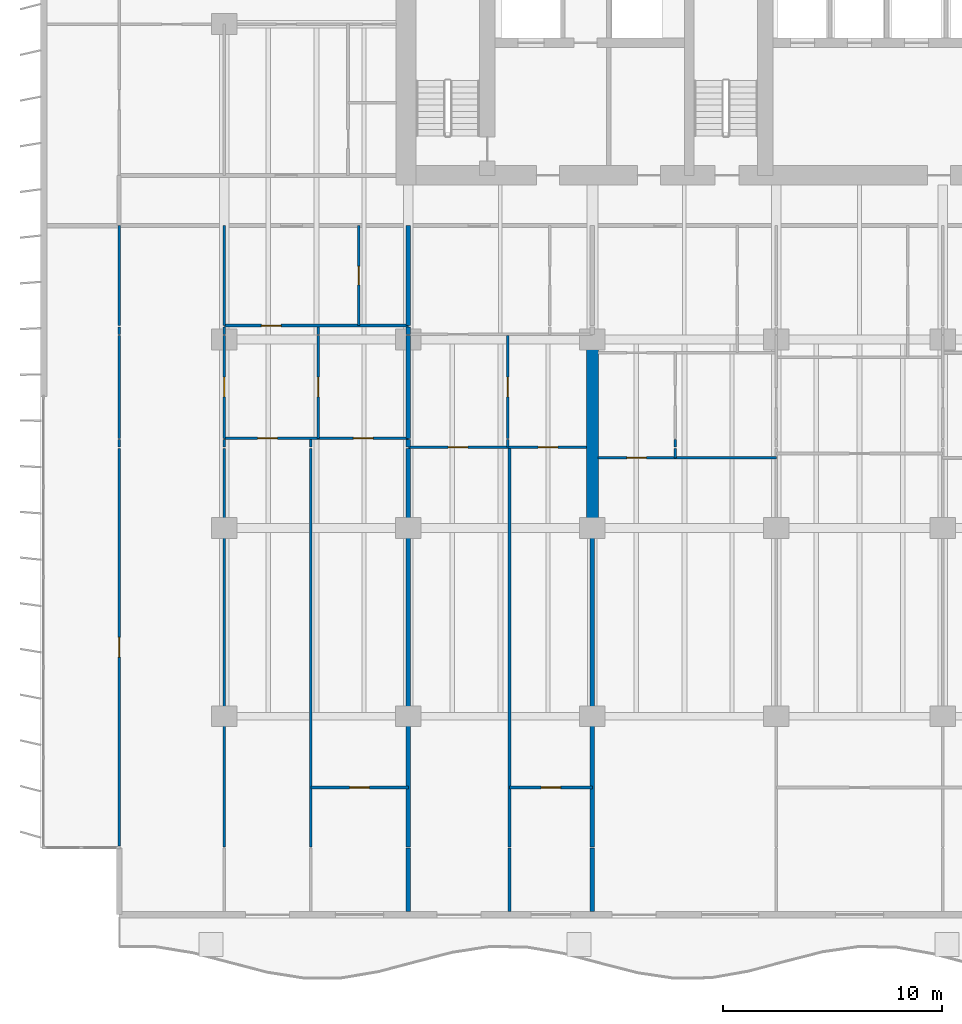
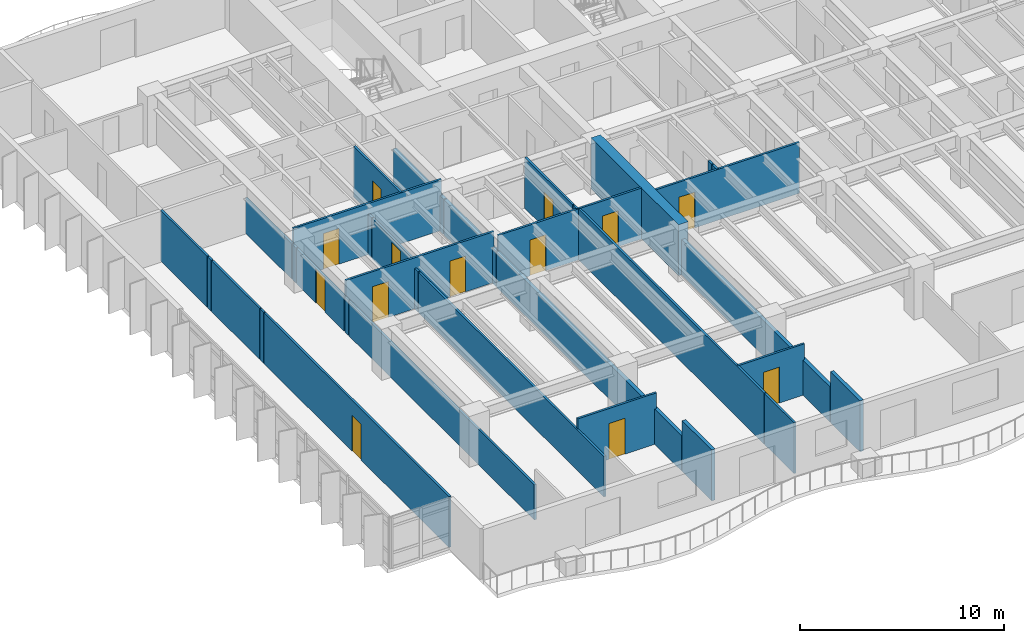
# One storey, part 6 of 17: 36 walls, 13 doors, 13 openings.
"""IFC4 building model written with IfcOpenShell, lengths in metres."""

from ifc_helpers import new_model, si_unit, direction, frame, frame_2d, origin, place, context, subcontext, project, spatial, rectangle, extrude, material, layer, layer_set, type_object, element, fill, save


model = new_model("IFC4")

# Units and contexts
model_context = context("Model", 3, precision=1e-05, world=origin(), true_north=direction((0.0, 1.0)))
body_context = subcontext(model_context, "Body", "Model", "MODEL_VIEW")
ifc_project = project(units=[si_unit("LENGTHUNIT", "METRE"), si_unit("AREAUNIT", "SQUARE_METRE"), si_unit("VOLUMEUNIT", "CUBIC_METRE"), si_unit("PLANEANGLEUNIT", "RADIAN"), si_unit("MASSUNIT", "GRAM", prefix="KILO")], contexts=[model_context])

# Site, building, storey
site_placement = place(None, origin())
site = spatial("IfcSite", under=ifc_project, at=site_placement, CompositionType="ELEMENT")
building_placement = place(site_placement, origin())
building = spatial("IfcBuilding", under=site, at=building_placement, Name="Caelmar Bay Residences", CompositionType="ELEMENT")
storey_placement = place(building_placement, frame((0.0, 0.0, 53.10009765625)))
storey = spatial("IfcBuildingStorey", under=building, at=storey_placement, Name="L13", CompositionType="ELEMENT", Elevation=53.10009765625)

# Wall
ifc_material_1 = material(Name="Concrete f'c 70 MPa (10,000 psi)", Category="concrete")
ifc_layer_1 = layer(ifc_material_1, 0.550048828125)
ifc_layer_set_1 = layer_set([ifc_layer_1], Name="Concrete f'c 70 MPa (10,000 psi)")
wall_type_1 = type_object("IfcWallType", Name="SW-XSLB-550", PredefinedType="SHEAR", material=ifc_layer_set_1)
wall_1_placement = place(storey_placement, frame((26.699951171875, 20.800048828125, 0.0), z_axis=(0.0, 0.0, 1.0), x_axis=(0.0, 1.0, 0.0)))
element("IfcWall", 1, at=wall_1_placement, inside=storey, type_object=wall_type_1, Name="L13 Transverse Cross-Slab Shear Wall W5", PredefinedType="SHEAR", context=body_context, shape_type="SweptSolid", body=[
    extrude(rectangle(XDim=8.599853515625, YDim=0.550048828125, at=frame_2d((4.2998046875, 0.0))), origin(), (0.0, 0.0, 1.0), 3.0498046875),
])

# Wall, opening, door
ifc_material_2 = material(Name="Acoustic metal-stud gypsum partition 120 mm")
ifc_layer_2 = layer(ifc_material_2, 0.1201171875)
ifc_layer_set_2 = layer_set([ifc_layer_2], Name="Acoustic metal-stud gypsum partition 120 mm")
wall_type_2 = type_object("IfcWallType", Name="W-PRT-120", PredefinedType="PARTITIONING", material=ifc_layer_set_2)
wall_2_placement = place(storey_placement, frame((5.10009765625, 6.284912109375, 0.0), z_axis=(0.0, 0.0, 1.0), x_axis=(0.0, 1.0, 0.0)))
wall_2 = element("IfcWall", 2, at=wall_2_placement, inside=storey, type_object=wall_type_2, Name="L13 Partition Wall V001", PredefinedType="PARTITIONING", context=body_context, shape_type="SweptSolid", body=[
    extrude(rectangle(XDim=18.14501953125, YDim=0.1201171875, at=frame_2d((9.072509765625, 0.0))), origin(), (0.0, 0.0, 1.0), 3.0498046875),
])
opening_1_placement = place(wall_2_placement, frame((8.62255859375, 0.0, 0.0)))
opening_1 = element("IfcOpeningElement", 3, at=opening_1_placement, cuts=wall_2, Name="Opening D-L13-164", PredefinedType="OPENING", context=body_context, shape_type="SweptSolid", body=[
    extrude(rectangle(XDim=0.89990234375, YDim=2.14990234375, at=frame_2d((0.449951171875, 1.074951171875))), frame((0.0, 0.070068359375, 0.0), z_axis=(0.0, -1.0, 0.0), x_axis=(1.0, 0.0, 0.0)), (0.0, 0.0, 1.0), 0.14013671875),
])
ifc_material_3 = material(Name="Solid walnut timber interior door leaf and frame", Category="wood")
ifc_layer_3 = layer(ifc_material_3, 0.050048828125)
ifc_layer_set_3 = layer_set([ifc_layer_3], Name="Solid walnut timber interior door leaf and frame")
door_type_1 = type_object("IfcDoorType", Name="D-ROOM-900", OperationType="NOTDEFINED", PredefinedType="DOOR", material=ifc_layer_set_3)
door_1_placement = place(opening_1_placement, origin())
door_1 = element("IfcDoor", 4, at=door_1_placement, inside=storey, type_object=door_type_1, Name="L13 Residence 01 Penthouse West Salon Door", OperationType="SINGLE_SWING_LEFT", OverallHeight=2.14990234375, OverallWidth=0.89990234375, PredefinedType="DOOR", context=body_context, shape_type="SweptSolid", body=[
    extrude(rectangle(XDim=0.89990234375, YDim=2.14990234375, at=frame_2d((0.449951171875, 1.074951171875))), frame((0.0, 0.02490234375, 0.0), z_axis=(0.0, -1.0, 0.0), x_axis=(1.0, 0.0, 0.0)), (0.0, 0.0, 1.0), 0.050048828125),
])
fill(opening_1, door_1)

# Walls
wall_3_placement = place(storey_placement, frame((5.10009765625, 24.489990234375, 0.0), z_axis=(0.0, 0.0, 1.0), x_axis=(0.0, 1.0, 0.0)))
element("IfcWall", 5, at=wall_3_placement, inside=storey, type_object=wall_type_2, Name="L13 Partition Wall V002", PredefinedType="PARTITIONING", context=body_context, shape_type="SweptSolid", body=[
    extrude(rectangle(XDim=0.340087890625, YDim=0.1201171875, at=frame_2d((0.169921875, 0.0))), origin(), (0.0, 0.0, 1.0), 3.0498046875),
])
wall_4_placement = place(storey_placement, frame((5.10009765625, 24.889892578125, 0.0), z_axis=(0.0, 0.0, 1.0), x_axis=(0.0, 1.0, 0.0)))
element("IfcWall", 6, at=wall_4_placement, inside=storey, type_object=wall_type_2, Name="L13 Partition Wall V003", PredefinedType="PARTITIONING", context=body_context, shape_type="SweptSolid", body=[
    extrude(rectangle(XDim=4.690185546875, YDim=0.1201171875, at=frame_2d((2.34521484375, 0.0))), origin(), (0.0, 0.0, 1.0), 3.0498046875),
])
wall_5_placement = place(storey_placement, frame((5.10009765625, 29.639892578125, 0.0), z_axis=(0.0, 0.0, 1.0), x_axis=(0.0, 1.0, 0.0)))
element("IfcWall", 7, at=wall_5_placement, inside=storey, type_object=wall_type_2, Name="L13 Partition Wall V004", PredefinedType="PARTITIONING", context=body_context, shape_type="SweptSolid", body=[
    extrude(rectangle(XDim=0.340087890625, YDim=0.1201171875, at=frame_2d((0.169921875, 0.0))), origin(), (0.0, 0.0, 1.0), 3.0498046875),
])
wall_6_placement = place(storey_placement, frame((5.10009765625, 30.0400390625, 0.0), z_axis=(0.0, 0.0, 1.0), x_axis=(0.0, 1.0, 0.0)))
element("IfcWall", 8, at=wall_6_placement, inside=storey, type_object=wall_type_2, Name="L13 Partition Wall V005", PredefinedType="PARTITIONING", context=body_context, shape_type="SweptSolid", body=[
    extrude(rectangle(XDim=4.56005859375, YDim=0.1201171875, at=frame_2d((2.280029296875, 0.0))), origin(), (0.0, 0.0, 1.0), 3.0498046875),
])
wall_7_placement = place(storey_placement, frame((9.89990234375, 6.239990234375, 0.0), z_axis=(0.0, 0.0, 1.0), x_axis=(0.0, 1.0, 0.0)))
element("IfcWall", 9, at=wall_7_placement, inside=storey, type_object=wall_type_2, Name="L13 Partition Wall V009", PredefinedType="PARTITIONING", context=body_context, shape_type="SweptSolid", body=[
    extrude(rectangle(XDim=18.18994140625, YDim=0.1201171875, at=frame_2d((9.094970703125, 0.0))), origin(), (0.0, 0.0, 1.0), 2.10986328125),
])
wall_8_placement = place(storey_placement, frame((9.89990234375, 24.489990234375, 0.0), z_axis=(0.0, 0.0, 1.0), x_axis=(0.0, 1.0, 0.0)))
element("IfcWall", 10, at=wall_8_placement, inside=storey, type_object=wall_type_2, Name="L13 Partition Wall V010", PredefinedType="PARTITIONING", context=body_context, shape_type="SweptSolid", body=[
    extrude(rectangle(XDim=0.340087890625, YDim=0.1201171875, at=frame_2d((0.169921875, 0.0))), origin(), (0.0, 0.0, 1.0), 2.10986328125),
])

# Wall, opening, door
wall_9_placement = place(storey_placement, frame((9.89990234375, 24.889892578125, 0.0), z_axis=(0.0, 0.0, 1.0), x_axis=(0.0, 1.0, 0.0)))
wall_9 = element("IfcWall", 11, at=wall_9_placement, inside=storey, type_object=wall_type_2, Name="L13 Partition Wall V011", PredefinedType="PARTITIONING", context=body_context, shape_type="SweptSolid", body=[
    extrude(rectangle(XDim=4.690185546875, YDim=0.1201171875, at=frame_2d((2.34521484375, 0.0))), origin(), (0.0, 0.0, 1.0), 2.10986328125),
])
opening_2_placement = place(wall_9_placement, frame((1.89501953125, 0.0, 0.0)))
opening_2 = element("IfcOpeningElement", 12, at=opening_2_placement, cuts=wall_9, Name="Opening D-L13-126", PredefinedType="OPENING", context=body_context, shape_type="SweptSolid", body=[
    extrude(rectangle(XDim=0.89990234375, YDim=2.06005859375, at=frame_2d((0.449951171875, 1.030029296875))), frame((0.0, 0.070068359375, 0.0), z_axis=(0.0, -1.0, 0.0), x_axis=(1.0, 0.0, 0.0)), (0.0, 0.0, 1.0), 0.14013671875),
])
door_2_placement = place(opening_2_placement, origin())
door_2 = element("IfcDoor", 13, at=door_2_placement, inside=storey, type_object=door_type_1, Name="L13 Residence 01 West Apartment Hall Door", OperationType="SINGLE_SWING_LEFT", OverallHeight=2.06005859375, OverallWidth=0.89990234375, PredefinedType="DOOR", context=body_context, shape_type="SweptSolid", body=[
    extrude(rectangle(XDim=0.89990234375, YDim=2.06005859375, at=frame_2d((0.449951171875, 1.030029296875))), frame((0.0, 0.02490234375, 0.0), z_axis=(0.0, -1.0, 0.0), x_axis=(1.0, 0.0, 0.0)), (0.0, 0.0, 1.0), 0.050048828125),
])
fill(opening_2, door_2)

# Walls
wall_10_placement = place(storey_placement, frame((9.89990234375, 29.639892578125, 0.0), z_axis=(0.0, 0.0, 1.0), x_axis=(0.0, 1.0, 0.0)))
element("IfcWall", 14, at=wall_10_placement, inside=storey, type_object=wall_type_2, Name="L13 Partition Wall V012", PredefinedType="PARTITIONING", context=body_context, shape_type="SweptSolid", body=[
    extrude(rectangle(XDim=0.340087890625, YDim=0.1201171875, at=frame_2d((0.169921875, 0.0))), origin(), (0.0, 0.0, 1.0), 2.10986328125),
])
wall_11_placement = place(storey_placement, frame((9.89990234375, 30.0400390625, 0.0), z_axis=(0.0, 0.0, 1.0), x_axis=(0.0, 1.0, 0.0)))
element("IfcWall", 15, at=wall_11_placement, inside=storey, type_object=wall_type_2, Name="L13 Partition Wall V013", PredefinedType="PARTITIONING", context=body_context, shape_type="SweptSolid", body=[
    extrude(rectangle(XDim=4.56005859375, YDim=0.1201171875, at=frame_2d((2.280029296875, 0.0))), origin(), (0.0, 0.0, 1.0), 2.10986328125),
])
wall_12_placement = place(storey_placement, frame((13.847900390625, 6.239990234375, 0.0), z_axis=(0.0, 0.0, 1.0), x_axis=(0.0, 1.0, 0.0)))
element("IfcWall", 16, at=wall_12_placement, inside=storey, type_object=wall_type_2, Name="L13 Partition Wall V016", PredefinedType="PARTITIONING", context=body_context, shape_type="SweptSolid", body=[
    extrude(rectangle(XDim=18.18994140625, YDim=0.1201171875, at=frame_2d((9.094970703125, 0.0))), origin(), (0.0, 0.0, 1.0), 2.4228515625),
])
wall_13_placement = place(storey_placement, frame((13.847900390625, 24.489990234375, 0.0), z_axis=(0.0, 0.0, 1.0), x_axis=(0.0, 1.0, 0.0)))
element("IfcWall", 17, at=wall_13_placement, inside=storey, type_object=wall_type_2, Name="L13 Partition Wall V017", PredefinedType="PARTITIONING", context=body_context, shape_type="SweptSolid", body=[
    extrude(rectangle(XDim=0.340087890625, YDim=0.1201171875, at=frame_2d((0.169921875, 0.0))), origin(), (0.0, 0.0, 1.0), 2.4228515625),
])

# Wall, opening, door
wall_14_placement = place(storey_placement, frame((14.18603515625, 24.889892578125, 0.0), z_axis=(0.0, 0.0, 1.0), x_axis=(0.0, 1.0, 0.0)))
wall_14 = element("IfcWall", 18, at=wall_14_placement, inside=storey, type_object=wall_type_2, Name="L13 Partition Wall V018", PredefinedType="PARTITIONING", context=body_context, shape_type="SweptSolid", body=[
    extrude(rectangle(XDim=4.690185546875, YDim=0.1201171875, at=frame_2d((2.34521484375, 0.0))), origin(), (0.0, 0.0, 1.0), 2.4228515625),
])
opening_3_placement = place(wall_14_placement, frame((1.89501953125, 0.0, 0.0)))
opening_3 = element("IfcOpeningElement", 19, at=opening_3_placement, cuts=wall_14, Name="Opening D-L13-122", PredefinedType="OPENING", context=body_context, shape_type="SweptSolid", body=[
    extrude(rectangle(XDim=0.89990234375, YDim=2.14990234375, at=frame_2d((0.449951171875, 1.074951171875))), frame((0.0, 0.070068359375, 0.0), z_axis=(0.0, -1.0, 0.0), x_axis=(1.0, 0.0, 0.0)), (0.0, 0.0, 1.0), 0.14013671875),
])
door_3_placement = place(opening_3_placement, origin())
door_3 = element("IfcDoor", 20, at=door_3_placement, inside=storey, type_object=door_type_1, Name="L13 Residence 01 Formal Dining Room Door", OperationType="SINGLE_SWING_LEFT", OverallHeight=2.14990234375, OverallWidth=0.89990234375, PredefinedType="DOOR", context=body_context, shape_type="SweptSolid", body=[
    extrude(rectangle(XDim=0.89990234375, YDim=2.14990234375, at=frame_2d((0.449951171875, 1.074951171875))), frame((0.0, 0.02490234375, 0.0), z_axis=(0.0, -1.0, 0.0), x_axis=(1.0, 0.0, 0.0)), (0.0, 0.0, 1.0), 0.050048828125),
])
fill(opening_3, door_3)

# Wall
wall_15_placement = place(storey_placement, frame((14.18603515625, 29.639892578125, 0.0), z_axis=(0.0, 0.0, 1.0), x_axis=(0.0, 1.0, 0.0)))
element("IfcWall", 21, at=wall_15_placement, inside=storey, type_object=wall_type_2, Name="L13 Partition Wall V019", PredefinedType="PARTITIONING", context=body_context, shape_type="SweptSolid", body=[
    extrude(rectangle(XDim=0.340087890625, YDim=0.1201171875, at=frame_2d((0.169921875, 0.0))), origin(), (0.0, 0.0, 1.0), 2.4228515625),
])

# Wall, opening, door
wall_16_placement = place(storey_placement, frame((16.041015625, 30.0400390625, 0.0), z_axis=(0.0, 0.0, 1.0), x_axis=(0.0, 1.0, 0.0)))
wall_16 = element("IfcWall", 22, at=wall_16_placement, inside=storey, type_object=wall_type_2, Name="L13 Partition Wall V021", PredefinedType="PARTITIONING", context=body_context, shape_type="SweptSolid", body=[
    extrude(rectangle(XDim=4.56005859375, YDim=0.1201171875, at=frame_2d((2.280029296875, 0.0))), origin(), (0.0, 0.0, 1.0), 3.0498046875),
])
opening_4_placement = place(wall_16_placement, frame((1.85498046875, 0.0, 0.0)))
opening_4 = element("IfcOpeningElement", 23, at=opening_4_placement, cuts=wall_16, Name="Opening D-L13-120", PredefinedType="OPENING", context=body_context, shape_type="SweptSolid", body=[
    extrude(rectangle(XDim=0.85009765625, YDim=2.10009765625, at=frame_2d((0.425048828125, 1.050048828125))), frame((0.0, 0.070068359375, 0.0), z_axis=(0.0, -1.0, 0.0), x_axis=(1.0, 0.0, 0.0)), (0.0, 0.0, 1.0), 0.14013671875),
])
ifc_layer_4 = layer(ifc_material_3, 0.050048828125)
ifc_layer_set_4 = layer_set([ifc_layer_4], Name="Solid walnut timber interior door leaf and frame")
door_type_2 = type_object("IfcDoorType", Name="D-BATH-850", OperationType="NOTDEFINED", PredefinedType="DOOR", material=ifc_layer_set_4)
door_4_placement = place(opening_4_placement, origin())
door_4 = element("IfcDoor", 24, at=door_4_placement, inside=storey, type_object=door_type_2, Name="L13 Residence 01 Bathroom Door", OperationType="SINGLE_SWING_LEFT", OverallHeight=2.10009765625, OverallWidth=0.85009765625, PredefinedType="DOOR", context=body_context, shape_type="SweptSolid", body=[
    extrude(rectangle(XDim=0.85009765625, YDim=2.10009765625, at=frame_2d((0.425048828125, 1.050048828125))), frame((0.0, 0.02490234375, 0.0), z_axis=(0.0, -1.0, 0.0), x_axis=(1.0, 0.0, 0.0)), (0.0, 0.0, 1.0), 0.050048828125),
])
fill(opening_4, door_4)

# Wall
wall_17_placement = place(storey_placement, frame((22.8359375, 24.489990234375, 0.0), z_axis=(0.0, 0.0, 1.0), x_axis=(0.0, 1.0, 0.0)))
element("IfcWall", 25, at=wall_17_placement, inside=storey, type_object=wall_type_2, Name="L13 Partition Wall V029", PredefinedType="PARTITIONING", context=body_context, shape_type="SweptSolid", body=[
    extrude(rectangle(XDim=0.340087890625, YDim=0.1201171875, at=frame_2d((0.169921875, 0.0))), origin(), (0.0, 0.0, 1.0), 3.0498046875),
])

# Wall, opening, door
wall_18_placement = place(storey_placement, frame((22.8359375, 24.889892578125, 0.0), z_axis=(0.0, 0.0, 1.0), x_axis=(0.0, 1.0, 0.0)))
wall_18 = element("IfcWall", 26, at=wall_18_placement, inside=storey, type_object=wall_type_2, Name="L13 Partition Wall V030", PredefinedType="PARTITIONING", context=body_context, shape_type="SweptSolid", body=[
    extrude(rectangle(XDim=4.690185546875, YDim=0.1201171875, at=frame_2d((2.34521484375, 0.0))), origin(), (0.0, 0.0, 1.0), 3.0498046875),
])
opening_5_placement = place(wall_18_placement, frame((1.89501953125, 0.0, 0.0)))
opening_5 = element("IfcOpeningElement", 27, at=opening_5_placement, cuts=wall_18, Name="Opening D-L13-130", PredefinedType="OPENING", context=body_context, shape_type="SweptSolid", body=[
    extrude(rectangle(XDim=0.89990234375, YDim=2.14990234375, at=frame_2d((0.449951171875, 1.074951171875))), frame((0.0, 0.070068359375, 0.0), z_axis=(0.0, -1.0, 0.0), x_axis=(1.0, 0.0, 0.0)), (0.0, 0.0, 1.0), 0.14013671875),
])
door_5_placement = place(opening_5_placement, origin())
door_5 = element("IfcDoor", 28, at=door_5_placement, inside=storey, type_object=door_type_1, Name="L13 Residence 02 Formal Dining Room Door", OperationType="SINGLE_SWING_LEFT", OverallHeight=2.14990234375, OverallWidth=0.89990234375, PredefinedType="DOOR", context=body_context, shape_type="SweptSolid", body=[
    extrude(rectangle(XDim=0.89990234375, YDim=2.14990234375, at=frame_2d((0.449951171875, 1.074951171875))), frame((0.0, 0.02490234375, 0.0), z_axis=(0.0, -1.0, 0.0), x_axis=(1.0, 0.0, 0.0)), (0.0, 0.0, 1.0), 0.050048828125),
])
fill(opening_5, door_5)

# Walls
wall_19_placement = place(storey_placement, frame((22.919921875, 3.294921875, 0.0), z_axis=(0.0, 0.0, 1.0), x_axis=(0.0, 1.0, 0.0)))
element("IfcWall", 29, at=wall_19_placement, inside=storey, type_object=wall_type_2, Name="L13 Partition Wall V031", PredefinedType="PARTITIONING", context=body_context, shape_type="SweptSolid", body=[
    extrude(rectangle(XDim=2.905029296875, YDim=0.1201171875, at=frame_2d((1.45263671875, 0.0))), origin(), (0.0, 0.0, 1.0), 3.0498046875),
])
wall_20_placement = place(storey_placement, frame((22.919921875, 6.239990234375, 0.0), z_axis=(0.0, 0.0, 1.0), x_axis=(0.0, 1.0, 0.0)))
element("IfcWall", 30, at=wall_20_placement, inside=storey, type_object=wall_type_2, Name="L13 Partition Wall V032", PredefinedType="PARTITIONING", context=body_context, shape_type="SweptSolid", body=[
    extrude(rectangle(XDim=18.18994140625, YDim=0.1201171875, at=frame_2d((9.094970703125, 0.0))), origin(), (0.0, 0.0, 1.0), 3.0498046875),
])
wall_21_placement = place(storey_placement, frame((30.47998046875, 24.0, 0.0), z_axis=(0.0, 0.0, 1.0), x_axis=(0.0, 1.0, 0.0)))
element("IfcWall", 31, at=wall_21_placement, inside=storey, type_object=wall_type_2, Name="L13 Partition Wall V042", PredefinedType="PARTITIONING", context=body_context, shape_type="SweptSolid", body=[
    extrude(rectangle(XDim=0.429931640625, YDim=0.1201171875, at=frame_2d((0.21484375, 0.0))), origin(), (0.0, 0.0, 1.0), 3.0498046875),
])
wall_22_placement = place(storey_placement, frame((30.47998046875, 24.489990234375, 0.0), z_axis=(0.0, 0.0, 1.0), x_axis=(0.0, 1.0, 0.0)))
element("IfcWall", 32, at=wall_22_placement, inside=storey, type_object=wall_type_2, Name="L13 Partition Wall V043", PredefinedType="PARTITIONING", context=body_context, shape_type="SweptSolid", body=[
    extrude(rectangle(XDim=0.340087890625, YDim=0.1201171875, at=frame_2d((0.169921875, 0.0))), origin(), (0.0, 0.0, 1.0), 3.0498046875),
])

# Wall, opening, door
wall_23_placement = place(storey_placement, frame((13.847900390625, 8.949951171875, 0.0), z_axis=(0.0, 0.0, 1.0), x_axis=(1.0, 0.0, 0.0)))
wall_23 = element("IfcWall", 33, at=wall_23_placement, inside=storey, type_object=wall_type_2, Name="L13 Partition Wall H113", PredefinedType="PARTITIONING", context=body_context, shape_type="SweptSolid", body=[
    extrude(rectangle(XDim=4.4521484375, YDim=0.1201171875, at=frame_2d((2.22607421875, 0.0))), origin(), (0.0, 0.0, 1.0), 3.0498046875),
])
opening_6_placement = place(wall_23_placement, frame((1.77587890625, 0.0, 0.0)))
opening_6 = element("IfcOpeningElement", 34, at=opening_6_placement, cuts=wall_23, Name="Opening D-L13-125", PredefinedType="OPENING", context=body_context, shape_type="SweptSolid", body=[
    extrude(rectangle(XDim=0.89990234375, YDim=2.14990234375, at=frame_2d((0.449951171875, 1.074951171875))), frame((0.0, 0.070068359375, 0.0), z_axis=(0.0, -1.0, 0.0), x_axis=(1.0, 0.0, 0.0)), (0.0, 0.0, 1.0), 0.14013671875),
])
door_6_placement = place(opening_6_placement, origin())
door_6 = element("IfcDoor", 35, at=door_6_placement, inside=storey, type_object=door_type_1, Name="L13 Residence 01 Primary Bedroom Door", OperationType="SINGLE_SWING_RIGHT", OverallHeight=2.14990234375, OverallWidth=0.89990234375, PredefinedType="DOOR", context=body_context, shape_type="SweptSolid", body=[
    extrude(rectangle(XDim=0.89990234375, YDim=2.14990234375, at=frame_2d((0.449951171875, 1.074951171875))), frame((0.0, 0.02490234375, 0.0), z_axis=(0.0, -1.0, 0.0), x_axis=(1.0, 0.0, 0.0)), (0.0, 0.0, 1.0), 0.050048828125),
])
fill(opening_6, door_6)

wall_24_placement = place(storey_placement, frame((22.919921875, 8.949951171875, 0.0), z_axis=(0.0, 0.0, 1.0), x_axis=(1.0, 0.0, 0.0)))
wall_24 = element("IfcWall", 36, at=wall_24_placement, inside=storey, type_object=wall_type_2, Name="L13 Partition Wall H114", PredefinedType="PARTITIONING", context=body_context, shape_type="SweptSolid", body=[
    extrude(rectangle(XDim=3.780029296875, YDim=0.1201171875, at=frame_2d((1.89013671875, 0.0))), origin(), (0.0, 0.0, 1.0), 3.0498046875),
])
opening_7_placement = place(wall_24_placement, frame((1.43994140625, 0.0, 0.0)))
opening_7 = element("IfcOpeningElement", 37, at=opening_7_placement, cuts=wall_24, Name="Opening D-L13-133", PredefinedType="OPENING", context=body_context, shape_type="SweptSolid", body=[
    extrude(rectangle(XDim=0.89990234375, YDim=2.14990234375, at=frame_2d((0.449951171875, 1.074951171875))), frame((0.0, 0.070068359375, 0.0), z_axis=(0.0, -1.0, 0.0), x_axis=(1.0, 0.0, 0.0)), (0.0, 0.0, 1.0), 0.14013671875),
])
door_7_placement = place(opening_7_placement, origin())
door_7 = element("IfcDoor", 38, at=door_7_placement, inside=storey, type_object=door_type_1, Name="L13 Residence 02 Primary Bedroom Door", OperationType="SINGLE_SWING_RIGHT", OverallHeight=2.14990234375, OverallWidth=0.89990234375, PredefinedType="DOOR", context=body_context, shape_type="SweptSolid", body=[
    extrude(rectangle(XDim=0.89990234375, YDim=2.14990234375, at=frame_2d((0.449951171875, 1.074951171875))), frame((0.0, 0.02490234375, 0.0), z_axis=(0.0, -1.0, 0.0), x_axis=(1.0, 0.0, 0.0)), (0.0, 0.0, 1.0), 0.050048828125),
])
fill(opening_7, door_7)

wall_25_placement = place(storey_placement, frame((26.969970703125, 24.0, 0.0), z_axis=(0.0, 0.0, 1.0), x_axis=(1.0, 0.0, 0.0)))
wall_25 = element("IfcWall", 39, at=wall_25_placement, inside=storey, type_object=wall_type_2, Name="L13 Partition Wall H118", PredefinedType="PARTITIONING", context=body_context, shape_type="SweptSolid", body=[
    extrude(rectangle(XDim=8.130126953125, YDim=0.1201171875, at=frame_2d((4.06494140625, 0.0))), origin(), (0.0, 0.0, 1.0), 3.0498046875),
])
opening_8_placement = place(wall_25_placement, frame((1.304931640625, 0.0, 0.0)))
opening_8 = element("IfcOpeningElement", 40, at=opening_8_placement, cuts=wall_25, Name="Opening D-L13-138", PredefinedType="OPENING", context=body_context, shape_type="SweptSolid", body=[
    extrude(rectangle(XDim=0.89990234375, YDim=2.14990234375, at=frame_2d((0.449951171875, 1.074951171875))), frame((0.0, 0.070068359375, 0.0), z_axis=(0.0, -1.0, 0.0), x_axis=(1.0, 0.0, 0.0)), (0.0, 0.0, 1.0), 0.14013671875),
])
door_8_placement = place(opening_8_placement, origin())
door_8 = element("IfcDoor", 41, at=door_8_placement, inside=storey, type_object=door_type_1, Name="L13 Residence 03 Penthouse Living Salon Door", OperationType="SINGLE_SWING_LEFT", OverallHeight=2.14990234375, OverallWidth=0.89990234375, PredefinedType="DOOR", context=body_context, shape_type="SweptSolid", body=[
    extrude(rectangle(XDim=0.89990234375, YDim=2.14990234375, at=frame_2d((0.449951171875, 1.074951171875))), frame((0.0, 0.02490234375, 0.0), z_axis=(0.0, -1.0, 0.0), x_axis=(1.0, 0.0, 0.0)), (0.0, 0.0, 1.0), 0.050048828125),
])
fill(opening_8, door_8)

# Wall, openings, doors
wall_26_placement = place(storey_placement, frame((18.300048828125, 24.489990234375, 0.0), z_axis=(0.0, 0.0, 1.0), x_axis=(1.0, 0.0, 0.0)))
wall_26 = element("IfcWall", 42, at=wall_26_placement, inside=storey, type_object=wall_type_2, Name="L13 Partition Wall H122", PredefinedType="PARTITIONING", context=body_context, shape_type="SweptSolid", body=[
    extrude(rectangle(XDim=8.1298828125, YDim=0.1201171875, at=frame_2d((4.06494140625, 0.0))), origin(), (0.0, 0.0, 1.0), 3.0498046875),
])
opening_9_placement = place(wall_26_placement, frame((1.818115234375, 0.0, 0.0)))
opening_9 = element("IfcOpeningElement", 43, at=opening_9_placement, cuts=wall_26, Name="Opening D-L13-131", PredefinedType="OPENING", context=body_context, shape_type="SweptSolid", body=[
    extrude(rectangle(XDim=0.89990234375, YDim=2.14990234375, at=frame_2d((0.449951171875, 1.074951171875))), frame((0.0, 0.070068359375, 0.0), z_axis=(0.0, -1.0, 0.0), x_axis=(1.0, 0.0, 0.0)), (0.0, 0.0, 1.0), 0.14013671875),
])
opening_10_placement = place(wall_26_placement, frame((5.925048828125, 0.0, 0.0)))
opening_10 = element("IfcOpeningElement", 44, at=opening_10_placement, cuts=wall_26, Name="Opening D-L13-132", PredefinedType="OPENING", context=body_context, shape_type="SweptSolid", body=[
    extrude(rectangle(XDim=0.89990234375, YDim=2.14990234375, at=frame_2d((0.449951171875, 1.074951171875))), frame((0.0, 0.070068359375, 0.0), z_axis=(0.0, -1.0, 0.0), x_axis=(1.0, 0.0, 0.0)), (0.0, 0.0, 1.0), 0.14013671875),
])
door_9_placement = place(opening_9_placement, origin())
door_9 = element("IfcDoor", 45, at=door_9_placement, inside=storey, type_object=door_type_1, Name="L13 Residence 02 Penthouse Living Salon Door", OperationType="SINGLE_SWING_RIGHT", OverallHeight=2.14990234375, OverallWidth=0.89990234375, PredefinedType="DOOR", context=body_context, shape_type="SweptSolid", body=[
    extrude(rectangle(XDim=0.89990234375, YDim=2.14990234375, at=frame_2d((0.449951171875, 1.074951171875))), frame((0.0, 0.02490234375, 0.0), z_axis=(0.0, -1.0, 0.0), x_axis=(1.0, 0.0, 0.0)), (0.0, 0.0, 1.0), 0.050048828125),
])
fill(opening_9, door_9)
door_10_placement = place(opening_10_placement, origin())
door_10 = element("IfcDoor", 46, at=door_10_placement, inside=storey, type_object=door_type_1, Name="L13 Residence 02 Penthouse Sitting Room Door", OperationType="SINGLE_SWING_LEFT", OverallHeight=2.14990234375, OverallWidth=0.89990234375, PredefinedType="DOOR", context=body_context, shape_type="SweptSolid", body=[
    extrude(rectangle(XDim=0.89990234375, YDim=2.14990234375, at=frame_2d((0.449951171875, 1.074951171875))), frame((0.0, 0.02490234375, 0.0), z_axis=(0.0, -1.0, 0.0), x_axis=(1.0, 0.0, 0.0)), (0.0, 0.0, 1.0), 0.050048828125),
])
fill(opening_10, door_10)

wall_27_placement = place(storey_placement, frame((9.89990234375, 24.889892578125, 0.0), z_axis=(0.0, 0.0, 1.0), x_axis=(1.0, 0.0, 0.0)))
wall_27 = element("IfcWall", 47, at=wall_27_placement, inside=storey, type_object=wall_type_2, Name="L13 Partition Wall H124", PredefinedType="PARTITIONING", context=body_context, shape_type="SweptSolid", body=[
    extrude(rectangle(XDim=8.400146484375, YDim=0.1201171875, at=frame_2d((4.2001953125, 0.0))), origin(), (0.0, 0.0, 1.0), 3.0498046875),
])
opening_11_placement = place(wall_27_placement, frame((1.52392578125, 0.0, 0.0)))
opening_11 = element("IfcOpeningElement", 48, at=opening_11_placement, cuts=wall_27, Name="Opening D-L13-123", PredefinedType="OPENING", context=body_context, shape_type="SweptSolid", body=[
    extrude(rectangle(XDim=0.89990234375, YDim=2.14990234375, at=frame_2d((0.449951171875, 1.074951171875))), frame((0.0, 0.070068359375, 0.0), z_axis=(0.0, -1.0, 0.0), x_axis=(1.0, 0.0, 0.0)), (0.0, 0.0, 1.0), 0.14013671875),
])
opening_12_placement = place(wall_27_placement, frame((5.89306640625, 0.0, 0.0)))
opening_12 = element("IfcOpeningElement", 49, at=opening_12_placement, cuts=wall_27, Name="Opening D-L13-124", PredefinedType="OPENING", context=body_context, shape_type="SweptSolid", body=[
    extrude(rectangle(XDim=0.89990234375, YDim=2.14990234375, at=frame_2d((0.449951171875, 1.074951171875))), frame((0.0, 0.070068359375, 0.0), z_axis=(0.0, -1.0, 0.0), x_axis=(1.0, 0.0, 0.0)), (0.0, 0.0, 1.0), 0.14013671875),
])
door_11_placement = place(opening_11_placement, origin())
door_11 = element("IfcDoor", 50, at=door_11_placement, inside=storey, type_object=door_type_1, Name="L13 Residence 01 Penthouse Living Salon Door", OperationType="SINGLE_SWING_RIGHT", OverallHeight=2.14990234375, OverallWidth=0.89990234375, PredefinedType="DOOR", context=body_context, shape_type="SweptSolid", body=[
    extrude(rectangle(XDim=0.89990234375, YDim=2.14990234375, at=frame_2d((0.449951171875, 1.074951171875))), frame((0.0, 0.02490234375, 0.0), z_axis=(0.0, -1.0, 0.0), x_axis=(1.0, 0.0, 0.0)), (0.0, 0.0, 1.0), 0.050048828125),
])
fill(opening_11, door_11)
door_12_placement = place(opening_12_placement, origin())
door_12 = element("IfcDoor", 51, at=door_12_placement, inside=storey, type_object=door_type_1, Name="L13 Residence 01 Penthouse Sitting Room Door", OperationType="SINGLE_SWING_LEFT", OverallHeight=2.14990234375, OverallWidth=0.89990234375, PredefinedType="DOOR", context=body_context, shape_type="SweptSolid", body=[
    extrude(rectangle(XDim=0.89990234375, YDim=2.14990234375, at=frame_2d((0.449951171875, 1.074951171875))), frame((0.0, 0.02490234375, 0.0), z_axis=(0.0, -1.0, 0.0), x_axis=(1.0, 0.0, 0.0)), (0.0, 0.0, 1.0), 0.050048828125),
])
fill(opening_12, door_12)

# Wall, opening, door
wall_28_placement = place(storey_placement, frame((9.89990234375, 30.0400390625, 0.0), z_axis=(0.0, 0.0, 1.0), x_axis=(1.0, 0.0, 0.0)))
wall_28 = element("IfcWall", 52, at=wall_28_placement, inside=storey, type_object=wall_type_2, Name="L13 Partition Wall H131", PredefinedType="PARTITIONING", context=body_context, shape_type="SweptSolid", body=[
    extrude(rectangle(XDim=8.400146484375, YDim=0.1201171875, at=frame_2d((4.2001953125, 0.0))), origin(), (0.0, 0.0, 1.0), 3.0498046875),
])
opening_13_placement = place(wall_28_placement, frame((1.693115234375, 0.0, 0.0)))
opening_13 = element("IfcOpeningElement", 53, at=opening_13_placement, cuts=wall_28, Name="Opening D-L13-121", PredefinedType="OPENING", context=body_context, shape_type="SweptSolid", body=[
    extrude(rectangle(XDim=0.89990234375, YDim=2.14990234375, at=frame_2d((0.449951171875, 1.074951171875))), frame((0.0, 0.070068359375, 0.0), z_axis=(0.0, -1.0, 0.0), x_axis=(1.0, 0.0, 0.0)), (0.0, 0.0, 1.0), 0.14013671875),
])
door_13_placement = place(opening_13_placement, origin())
door_13 = element("IfcDoor", 54, at=door_13_placement, inside=storey, type_object=door_type_1, Name="L13 Residence 01 Kitchen Door", OperationType="SINGLE_SWING_RIGHT", OverallHeight=2.14990234375, OverallWidth=0.89990234375, PredefinedType="DOOR", context=body_context, shape_type="SweptSolid", body=[
    extrude(rectangle(XDim=0.89990234375, YDim=2.14990234375, at=frame_2d((0.449951171875, 1.074951171875))), frame((0.0, 0.02490234375, 0.0), z_axis=(0.0, -1.0, 0.0), x_axis=(1.0, 0.0, 0.0)), (0.0, 0.0, 1.0), 0.050048828125),
])
fill(opening_13, door_13)

# Walls
ifc_material_4 = material(Name="Acoustic twin-stud fire-rated inter-tenancy partition 200 mm")
ifc_layer_5 = layer(ifc_material_4, 0.199951171875)
ifc_layer_set_5 = layer_set([ifc_layer_5], Name="Acoustic twin-stud fire-rated inter-tenancy partition 200 mm")
wall_type_3 = type_object("IfcWallType", Name="W-PTY-200", PredefinedType="PARTITIONING", material=ifc_layer_set_5)
wall_29_placement = place(storey_placement, frame((18.300048828125, 3.294921875, 0.0), z_axis=(0.0, 0.0, 1.0), x_axis=(0.0, 1.0, 0.0)))
element("IfcWall", 55, at=wall_29_placement, inside=storey, type_object=wall_type_3, Name="L13 Partition Wall V022", PredefinedType="PARTITIONING", context=body_context, shape_type="SweptSolid", body=[
    extrude(rectangle(XDim=2.905029296875, YDim=0.199951171875, at=frame_2d((1.45263671875, 0.0))), origin(), (0.0, 0.0, 1.0), 3.0498046875),
])
wall_30_placement = place(storey_placement, frame((18.300048828125, 6.239990234375, 0.0), z_axis=(0.0, 0.0, 1.0), x_axis=(0.0, 1.0, 0.0)))
element("IfcWall", 56, at=wall_30_placement, inside=storey, type_object=wall_type_3, Name="L13 Partition Wall V023", PredefinedType="PARTITIONING", context=body_context, shape_type="SweptSolid", body=[
    extrude(rectangle(XDim=18.18994140625, YDim=0.199951171875, at=frame_2d((9.094970703125, 0.0))), origin(), (0.0, 0.0, 1.0), 2.10986328125),
])
wall_31_placement = place(storey_placement, frame((18.300048828125, 24.489990234375, 0.0), z_axis=(0.0, 0.0, 1.0), x_axis=(0.0, 1.0, 0.0)))
element("IfcWall", 57, at=wall_31_placement, inside=storey, type_object=wall_type_3, Name="L13 Partition Wall V024", PredefinedType="PARTITIONING", context=body_context, shape_type="SweptSolid", body=[
    extrude(rectangle(XDim=0.340087890625, YDim=0.199951171875, at=frame_2d((0.169921875, 0.0))), origin(), (0.0, 0.0, 1.0), 2.10986328125),
])
wall_32_placement = place(storey_placement, frame((18.300048828125, 24.889892578125, 0.0), z_axis=(0.0, 0.0, 1.0), x_axis=(0.0, 1.0, 0.0)))
element("IfcWall", 58, at=wall_32_placement, inside=storey, type_object=wall_type_3, Name="L13 Partition Wall V025", PredefinedType="PARTITIONING", context=body_context, shape_type="SweptSolid", body=[
    extrude(rectangle(XDim=4.690185546875, YDim=0.199951171875, at=frame_2d((2.34521484375, 0.0))), origin(), (0.0, 0.0, 1.0), 2.10986328125),
])
wall_33_placement = place(storey_placement, frame((18.300048828125, 29.639892578125, 0.0), z_axis=(0.0, 0.0, 1.0), x_axis=(0.0, 1.0, 0.0)))
element("IfcWall", 59, at=wall_33_placement, inside=storey, type_object=wall_type_3, Name="L13 Partition Wall V026", PredefinedType="PARTITIONING", context=body_context, shape_type="SweptSolid", body=[
    extrude(rectangle(XDim=0.340087890625, YDim=0.199951171875, at=frame_2d((0.169921875, 0.0))), origin(), (0.0, 0.0, 1.0), 2.10986328125),
])
wall_34_placement = place(storey_placement, frame((18.300048828125, 30.0400390625, 0.0), z_axis=(0.0, 0.0, 1.0), x_axis=(0.0, 1.0, 0.0)))
element("IfcWall", 60, at=wall_34_placement, inside=storey, type_object=wall_type_3, Name="L13 Partition Wall V027", PredefinedType="PARTITIONING", context=body_context, shape_type="SweptSolid", body=[
    extrude(rectangle(XDim=4.56005859375, YDim=0.199951171875, at=frame_2d((2.280029296875, 0.0))), origin(), (0.0, 0.0, 1.0), 2.10986328125),
])
wall_35_placement = place(storey_placement, frame((26.699951171875, 3.294921875, 0.0), z_axis=(0.0, 0.0, 1.0), x_axis=(0.0, 1.0, 0.0)))
element("IfcWall", 61, at=wall_35_placement, inside=storey, type_object=wall_type_3, Name="L13 Partition Wall V036", PredefinedType="PARTITIONING", context=body_context, shape_type="SweptSolid", body=[
    extrude(rectangle(XDim=2.905029296875, YDim=0.199951171875, at=frame_2d((1.45263671875, 0.0))), origin(), (0.0, 0.0, 1.0), 3.0498046875),
])
wall_36_placement = place(storey_placement, frame((26.699951171875, 6.239990234375, 0.0), z_axis=(0.0, 0.0, 1.0), x_axis=(0.0, 1.0, 0.0)))
element("IfcWall", 62, at=wall_36_placement, inside=storey, type_object=wall_type_3, Name="L13 Partition Wall V037", PredefinedType="PARTITIONING", context=body_context, shape_type="SweptSolid", body=[
    extrude(rectangle(XDim=14.554931640625, YDim=0.199951171875, at=frame_2d((7.27734375, 0.0))), origin(), (0.0, 0.0, 1.0), 2.10986328125),
])

save(model, "model.ifc")
